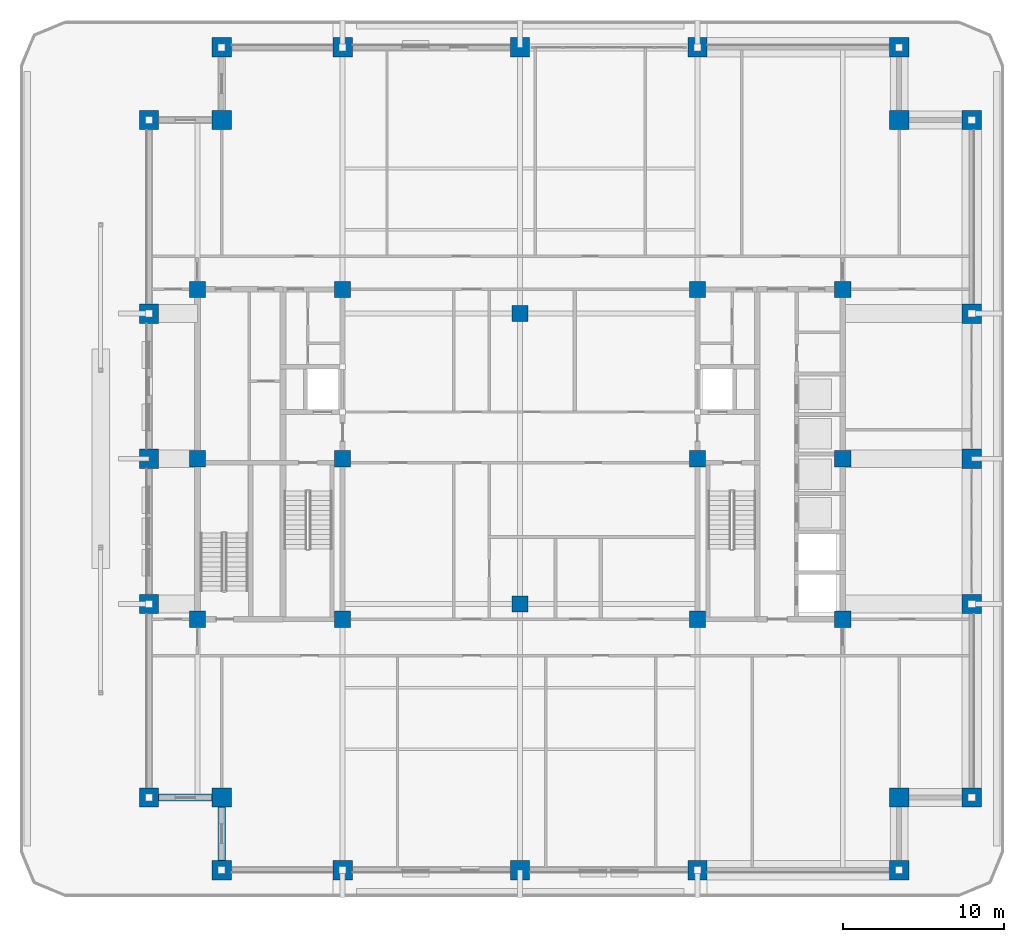
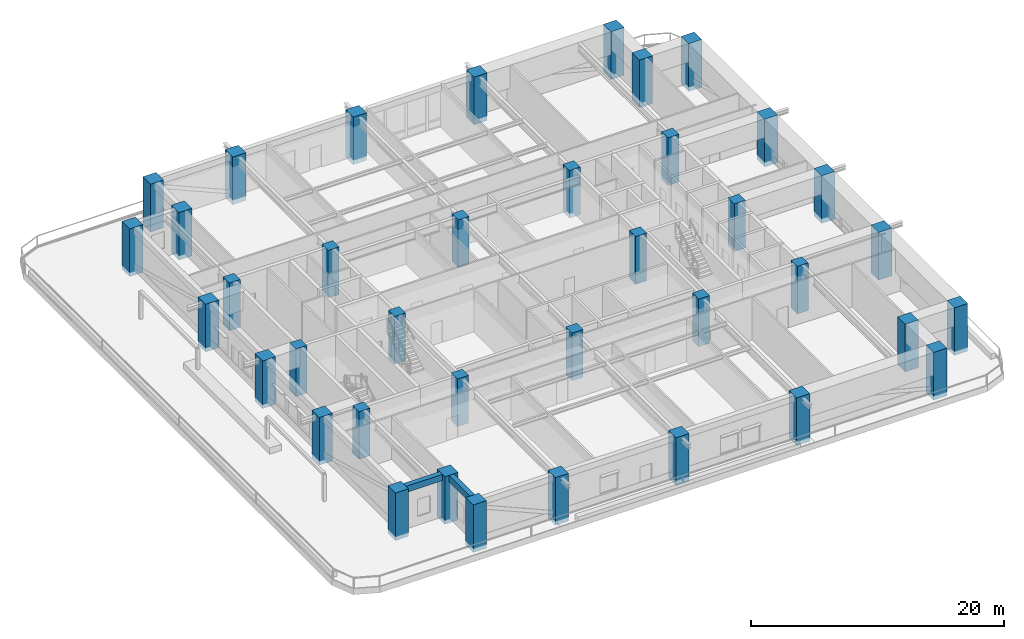
# One storey, part 1 of 21: 38 columns, 2 beams.
"""IFC4 building model written with IfcOpenShell, lengths in metres."""

from ifc_helpers import new_model, si_unit, direction, frame, origin, origin_2d, place, context, subcontext, project, spatial, rectangle, extrude, material, material_profile, profile_set, type_object, element, save


model = new_model("IFC4")

# Units and contexts
model_context = context("Model", 3, precision=1e-05, world=origin(), true_north=direction((0.0, 1.0)))
body_context = subcontext(model_context, "Body", "Model", "MODEL_VIEW")
ifc_project = project(units=[si_unit("LENGTHUNIT", "METRE"), si_unit("AREAUNIT", "SQUARE_METRE"), si_unit("VOLUMEUNIT", "CUBIC_METRE"), si_unit("PLANEANGLEUNIT", "RADIAN"), si_unit("MASSUNIT", "GRAM", prefix="KILO")], contexts=[model_context])

# Site, building, storey
site_placement = place(None, origin())
site = spatial("IfcSite", under=ifc_project, at=site_placement, CompositionType="ELEMENT")
building_placement = place(site_placement, origin())
building = spatial("IfcBuilding", under=site, at=building_placement, Name="Zulmaris Gate Convention Tower", CompositionType="ELEMENT")
storey_placement = place(building_placement, frame((0.0, 0.0, 86.93994140625)))
storey = spatial("IfcBuildingStorey", under=building, at=storey_placement, Name="L21", CompositionType="ELEMENT", Elevation=86.93994140625)

# Columns
ifc_material_1 = material(Name="Concrete C60/75", Category="concrete")
ifc_material_profile_1 = material_profile(ifc_material_1, rectangle(XDim=1.0, YDim=1.0, at=origin_2d()), Name="RC COL 1000x1000")
ifc_profile_set_1 = profile_set([ifc_material_profile_1], Name="Concrete C60/75")
column_type_1 = type_object("IfcColumnType", Name="COL-RC1000", PredefinedType="COLUMN", material=ifc_profile_set_1)
for number, where, z_axis, x_axis, name in (
    (1, (-20.0, -9.949951171875, -0.425048828125), (0.0, 0.0, 1.0), (1.0, 0.0, 0.0), "L21 Column IN--20.00_-9.95"),
    (2, (-20.0, 10.5, -0.425048828125), (0.0, 0.0, 1.0), (1.0, 0.0, 0.0), "L21 Column IN--20.00_+10.50"),
    (3, (-11.0, -9.949951171875, -0.425048828125), (0.0, 0.0, 1.0), (1.0, 0.0, 0.0), "L21 Column IN--11.00_-9.95"),
    (4, (-11.0, 0.0, -0.425048828125), (0.0, 0.0, 1.0), (1.0, 0.0, 0.0), "L21 Column IN--11.00_+0.00"),
    (5, (-11.0, 10.5, -0.425048828125), (0.0, 0.0, 1.0), (1.0, 0.0, 0.0), "L21 Column IN--11.00_+10.50"),
    (6, (11.0, -9.949951171875, -0.425048828125), (0.0, 0.0, 1.0), (1.0, 0.0, 0.0), "L21 Column IN-+11.00_-9.95"),
    (7, (11.0, 0.0, -0.425048828125), (0.0, 0.0, 1.0), (1.0, 0.0, 0.0), "L21 Column IN-+11.00_+0.00"),
    (8, (11.0, 10.5, -0.425048828125), (0.0, 0.0, 1.0), (1.0, 0.0, 0.0), "L21 Column IN-+11.00_+10.50"),
    (9, (20.0, -9.949951171875, -0.425048828125), (0.0, 0.0, 1.0), (1.0, 0.0, 0.0), "L21 Column IN-+20.00_-9.95"),
    (10, (20.0, 10.5, -0.425048828125), (0.0, 0.0, 1.0), (1.0, 0.0, 0.0), "L21 Column IN-+20.00_+10.50"),
    (11, (0.0, -9.0, -0.425048828125), (0.0, 0.0, 1.0), (1.0, 0.0, 0.0), "L21 Column IN-+0.00_-9.00"),
    (12, (0.0, 9.0, -0.425048828125), (0.0, 0.0, 1.0), (1.0, 0.0, 0.0), "L21 Column IN-+0.00_+9.00"),
    (13, (-20.0, 0.0, -0.425048828125), (0.0, 0.0, 1.0), (1.0, 0.0, 0.0), "L21 Column IN--20.00_+0.00"),
    (14, (20.0, 0.0, -0.425048828125), (0.0, 0.0, 1.0), (1.0, 0.0, 0.0), "L21 Column IN-+20.00_+0.00"),
):
    element("IfcColumn", number, at=place(storey_placement, frame(where, z_axis=z_axis, x_axis=x_axis)), inside=storey, type_object=column_type_1, Name=name, PredefinedType="COLUMN", context=body_context, shape_type="SweptSolid", body=[
        extrude(rectangle(XDim=1.0, YDim=1.0, at=origin_2d()), origin(), (0.0, 0.0, 1.0), 4.594970703125),
    ])
ifc_material_2 = material(Name="Concrete C70/85", Category="concrete")
ifc_material_profile_2 = material_profile(ifc_material_2, rectangle(XDim=1.199951171875, YDim=1.199951171875, at=origin_2d()), Name="RC COL 1200x1200")
ifc_profile_set_2 = profile_set([ifc_material_profile_2], Name="Concrete C70/85")
column_type_2 = type_object("IfcColumnType", Name="COL-RC1200", PredefinedType="COLUMN", material=ifc_profile_set_2)
for number, where, z_axis, x_axis, name in (
    (15, (-18.5, -25.5, -0.425048828125), (0.0, 0.0, 1.0), (1.0, 0.0, 0.0), "L21 Column PT--18.50_-25.50"),
    (16, (-11.0, -25.5, -0.425048828125), (0.0, 0.0, 1.0), (1.0, 0.0, 0.0), "L21 Column PT--11.00_-25.50"),
    (17, (0.0, -25.5, -0.425048828125), (0.0, 0.0, 1.0), (1.0, 0.0, 0.0), "L21 Column PT-+0.00_-25.50"),
    (18, (11.0, -25.5, -0.425048828125), (0.0, 0.0, 1.0), (1.0, 0.0, 0.0), "L21 Column PT-+11.00_-25.50"),
    (19, (23.5, -25.5, -0.425048828125), (0.0, 0.0, 1.0), (1.0, 0.0, 0.0), "L21 Column PT-+23.50_-25.50"),
    (20, (-18.5, 25.5, -0.425048828125), (0.0, 0.0, 1.0), (1.0, 0.0, 0.0), "L21 Column PT--18.50_+25.50"),
    (21, (-11.0, 25.5, -0.425048828125), (0.0, 0.0, 1.0), (1.0, 0.0, 0.0), "L21 Column PT--11.00_+25.50"),
    (22, (0.0, 25.5, -0.425048828125), (0.0, 0.0, 1.0), (1.0, 0.0, 0.0), "L21 Column PT-+0.00_+25.50"),
    (23, (11.0, 25.5, -0.425048828125), (0.0, 0.0, 1.0), (1.0, 0.0, 0.0), "L21 Column PT-+11.00_+25.50"),
    (24, (23.5, 25.5, -0.425048828125), (0.0, 0.0, 1.0), (1.0, 0.0, 0.0), "L21 Column PT-+23.50_+25.50"),
    (25, (-23.0, -21.0, -0.425048828125), (0.0, 0.0, 1.0), (1.0, 0.0, 0.0), "L21 Column PT--23.00_-21.00"),
    (26, (-23.0, -9.0, -0.425048828125), (0.0, 0.0, 1.0), (1.0, 0.0, 0.0), "L21 Column PT--23.00_-9.00"),
    (27, (-23.0, 0.0, -0.425048828125), (0.0, 0.0, 1.0), (1.0, 0.0, 0.0), "L21 Column PT--23.00_+0.00"),
    (28, (-23.0, 9.0, -0.425048828125), (0.0, 0.0, 1.0), (1.0, 0.0, 0.0), "L21 Column PT--23.00_+9.00"),
    (29, (-23.0, 21.0, -0.425048828125), (0.0, 0.0, 1.0), (1.0, 0.0, 0.0), "L21 Column PT--23.00_+21.00"),
    (30, (28.0, -21.0, -0.425048828125), (0.0, 0.0, 1.0), (1.0, 0.0, 0.0), "L21 Column PT-+28.00_-21.00"),
    (31, (28.0, -9.0, -0.425048828125), (0.0, 0.0, 1.0), (1.0, 0.0, 0.0), "L21 Column PT-+28.00_-9.00"),
    (32, (28.0, 0.0, -0.425048828125), (0.0, 0.0, 1.0), (1.0, 0.0, 0.0), "L21 Column PT-+28.00_+0.00"),
    (33, (28.0, 9.0, -0.425048828125), (0.0, 0.0, 1.0), (1.0, 0.0, 0.0), "L21 Column PT-+28.00_+9.00"),
    (34, (28.0, 21.0, -0.425048828125), (0.0, 0.0, 1.0), (1.0, 0.0, 0.0), "L21 Column PT-+28.00_+21.00"),
    (35, (-18.5, -21.0, -0.425048828125), (0.0, 0.0, 1.0), (1.0, 0.0, 0.0), "L21 Column PT--18.50_-21.00"),
    (36, (23.5, -21.0, -0.425048828125), (0.0, 0.0, 1.0), (1.0, 0.0, 0.0), "L21 Column PT-+23.50_-21.00"),
    (37, (23.5, 21.0, -0.425048828125), (0.0, 0.0, 1.0), (1.0, 0.0, 0.0), "L21 Column PT-+23.50_+21.00"),
    (38, (-18.5, 21.0, -0.425048828125), (0.0, 0.0, 1.0), (1.0, 0.0, 0.0), "L21 Column PT--18.50_+21.00"),
):
    element("IfcColumn", number, at=place(storey_placement, frame(where, z_axis=z_axis, x_axis=x_axis)), inside=storey, type_object=column_type_2, Name=name, PredefinedType="COLUMN", context=body_context, shape_type="SweptSolid", body=[
        extrude(rectangle(XDim=1.199951171875, YDim=1.199951171875, at=origin_2d()), origin(), (0.0, 0.0, 1.0), 4.594970703125),
    ])

# Beams
ifc_material_3 = material(Name="Precast concrete C50/60", Category="concrete")
ifc_material_profile_3 = material_profile(ifc_material_3, rectangle(XDim=0.449951171875, YDim=0.60009765625, at=origin_2d()), Name="RC SPANDREL 450x600")
ifc_profile_set_3 = profile_set([ifc_material_profile_3], Name="Precast concrete C50/60")
beam_type = type_object("IfcBeamType", Name="BM-SP450x600", PredefinedType="SPANDREL", material=ifc_profile_set_3)
for number, where, z_axis, x_axis, name in (
    (39, (-23.0, -21.0, 3.869873046875), (1.0, 0.0, 0.0), (0.0, 1.0, 0.0), "L21 Spandrel SP-L21-23"),
    (40, (-18.5, -21.0, 3.869873046875), (0.0, -1.0, 0.0), (1.0, 0.0, 0.0), "L21 Spandrel SP-L21-24"),
):
    element("IfcBeam", number, at=place(storey_placement, frame(where, z_axis=z_axis, x_axis=x_axis)), inside=storey, type_object=beam_type, Name=name, PredefinedType="SPANDREL", context=body_context, shape_type="SweptSolid", body=[
        extrude(rectangle(XDim=0.449951171875, YDim=0.60009765625, at=origin_2d()), origin(), (0.0, 0.0, 1.0), 4.5),
    ])

save(model, "model.ifc")
